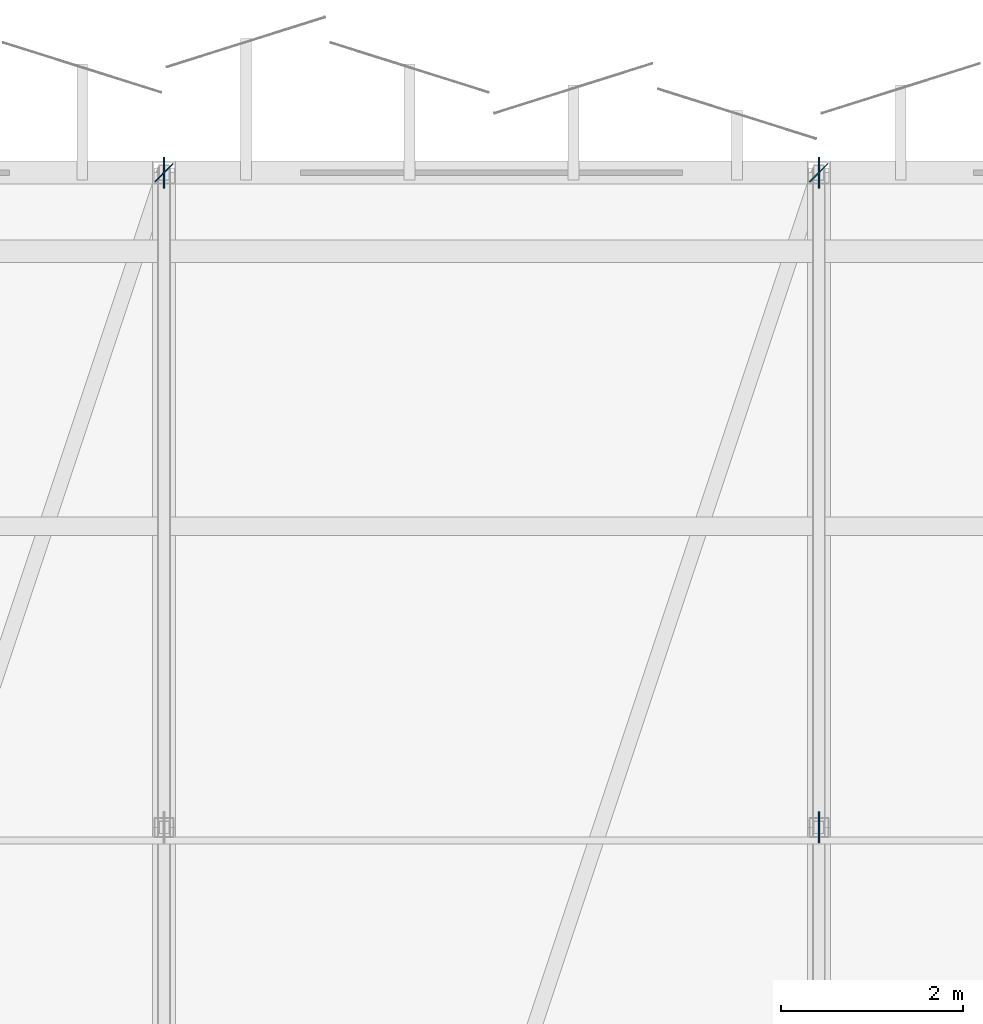
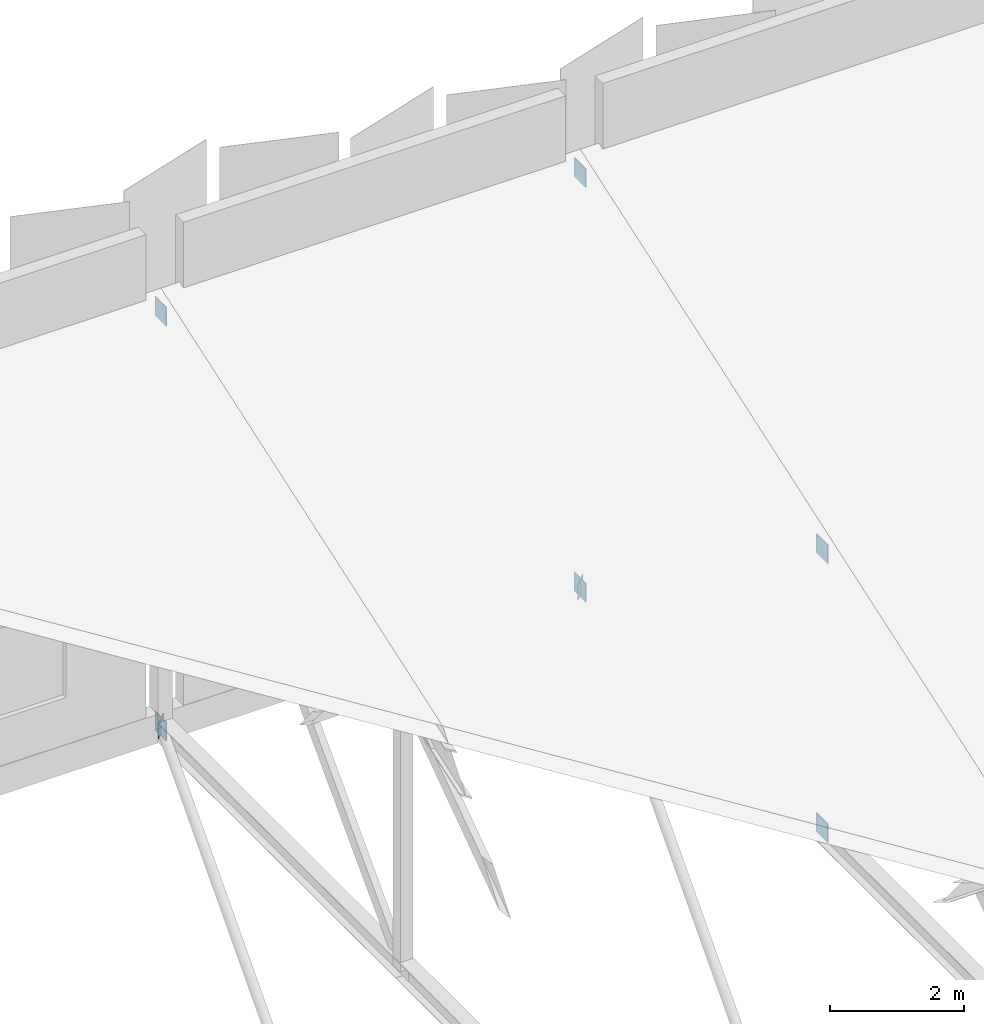
# One storey, part 35 of 59: 8 plates.
"""IFC4 building model written with IfcOpenShell, lengths in metres."""

from ifc_helpers import new_model, si_unit, direction, frame, origin, origin_2d, place, context, subcontext, project, spatial, rectangle, extrude, material, layer, layer_set, type_object, element, save


model = new_model("IFC4")

# Units and contexts
model_context = context("Model", 3, precision=1e-05, world=origin(), true_north=direction((0.0, 1.0)))
body_context = subcontext(model_context, "Body", "Model", "MODEL_VIEW")
ifc_project = project(units=[si_unit("LENGTHUNIT", "METRE"), si_unit("AREAUNIT", "SQUARE_METRE"), si_unit("VOLUMEUNIT", "CUBIC_METRE"), si_unit("PLANEANGLEUNIT", "RADIAN"), si_unit("MASSUNIT", "GRAM", prefix="KILO")], contexts=[model_context])

# Site, building, storey
site_placement = place(None, origin())
site = spatial("IfcSite", under=ifc_project, at=site_placement, CompositionType="ELEMENT")
building_placement = place(site_placement, origin())
building = spatial("IfcBuilding", under=site, at=building_placement, Name="Kangsadwip Square Police Headquarters", CompositionType="ELEMENT")
storey_placement = place(building_placement, frame((0.0, 0.0, 21.60009765625)))
storey = spatial("IfcBuildingStorey", under=building, at=storey_placement, Name="L05", CompositionType="ELEMENT", Elevation=21.60009765625)

# Plates
ifc_material_1 = material(Name="Structural steel IS 2062 E350 (Grade 350, 350 MPa)", Category="steel")
ifc_layer_1 = layer(ifc_material_1, 0.011962890625)
ifc_layer_set_1 = layer_set([ifc_layer_1], Name="Structural steel IS 2062 E350 (Grade 350, 350 MPa)")
plate_type_1 = type_object("IfcPlateType", Name="TrussEndCapPlate12", PredefinedType="USERDEFINED", material=ifc_layer_set_1)
for number, where, z_axis, x_axis, name in (
    (1, (115.199951171875, 115.199951171875, -0.68994140625), (0.0, 0.0, 1.0), (0.707106781187, 0.707106781187, 0.0), "Truss Node Gusset Plate GP-L05-0107"),
    (2, (122.39990234375, 115.199951171875, -0.68994140625), (0.0, 0.0, 1.0), (0.707106781187, 0.707106781187, 0.0), "Truss Node Gusset Plate GP-L05-0109"),
):
    element("IfcPlate", number, at=place(storey_placement, frame(where, z_axis=z_axis, x_axis=x_axis)), inside=storey, type_object=plate_type_1, Name=name, ObjectType="GUSSET_PLATE", PredefinedType="USERDEFINED", context=body_context, shape_type="SweptSolid", body=[
        extrude(rectangle(XDim=0.280029296875, YDim=0.011962890625, at=origin_2d()), origin(), (0.0, 0.0, 1.0), 0.280029296875),
    ])
ifc_material_2 = material(Name="Structural steel IS 2062 E350 (Grade 350, 350 MPa)", Category="steel")
ifc_layer_2 = layer(ifc_material_2, 0.01611328125)
ifc_layer_set_2 = layer_set([ifc_layer_2], Name="Structural steel IS 2062 E350 (Grade 350, 350 MPa)")
plate_type_2 = type_object("IfcPlateType", Name="TrussGussetPlate16", PredefinedType="USERDEFINED", material=ifc_layer_set_2)
for number, where, z_axis, x_axis, name in (
    (3, (115.199951171875, 115.199951171875, -0.72021484375), (0.0, 0.0, 1.0), (0.0, 1.0, 0.0), "Truss Node Gusset Plate GP-L05-0077"),
    (4, (115.199951171875, 115.199951171875, 6.81005859375), (0.0, 0.0, 1.0), (0.0, 1.0, 0.0), "Truss Node Gusset Plate GP-L05-0078"),
    (5, (122.39990234375, 108.0, -0.72021484375), (0.0, 0.0, 1.0), (0.0, 1.0, 0.0), "Truss Node Gusset Plate GP-L05-0082"),
    (6, (122.39990234375, 108.0, 4.34326171875), (0.0, 0.0, 1.0), (0.0, 1.0, 0.0), "Truss Node Gusset Plate GP-L05-0083"),
    (7, (122.39990234375, 115.199951171875, -0.72021484375), (0.0, 0.0, 1.0), (0.0, 1.0, 0.0), "Truss Node Gusset Plate GP-L05-0084"),
    (8, (122.39990234375, 115.199951171875, 6.81005859375), (0.0, 0.0, 1.0), (0.0, 1.0, 0.0), "Truss Node Gusset Plate GP-L05-0085"),
):
    element("IfcPlate", number, at=place(storey_placement, frame(where, z_axis=z_axis, x_axis=x_axis)), inside=storey, type_object=plate_type_2, Name=name, ObjectType="GUSSET_PLATE", PredefinedType="USERDEFINED", context=body_context, shape_type="SweptSolid", body=[
        extrude(rectangle(XDim=0.340087890625, YDim=0.01611328125, at=origin_2d()), origin(), (0.0, 0.0, 1.0), 0.340087890625),
    ])

save(model, "model.ifc")
